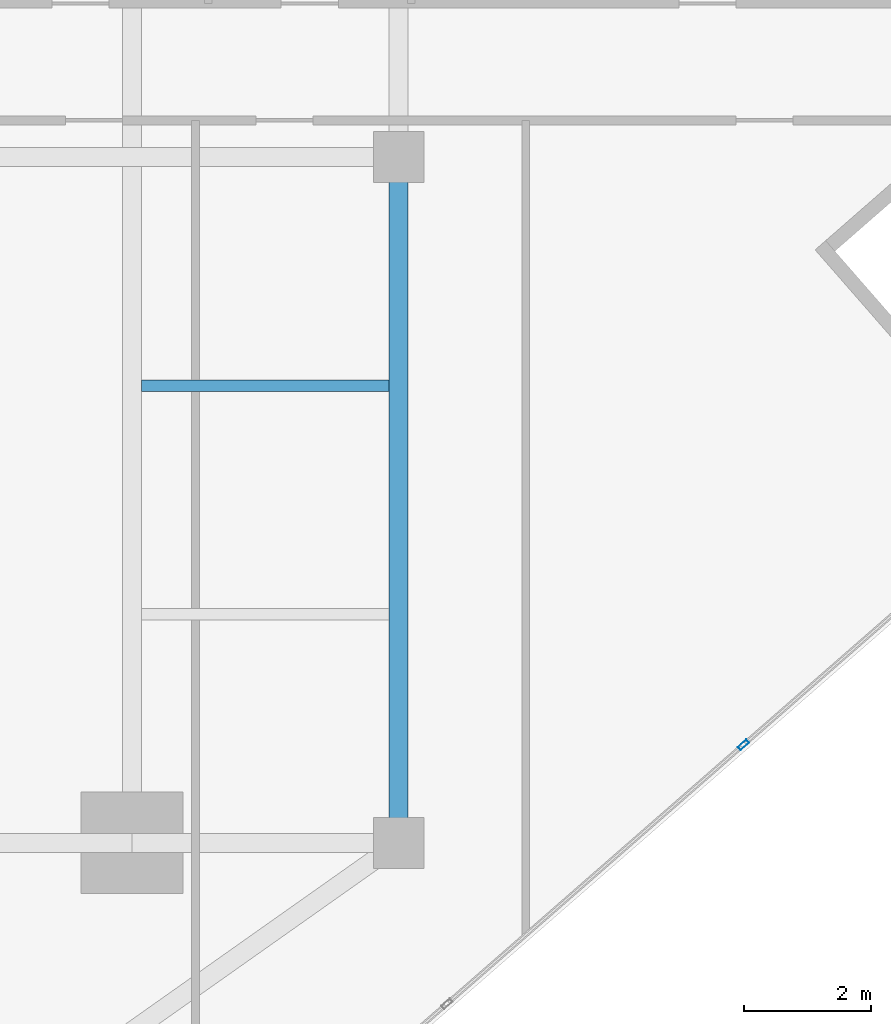
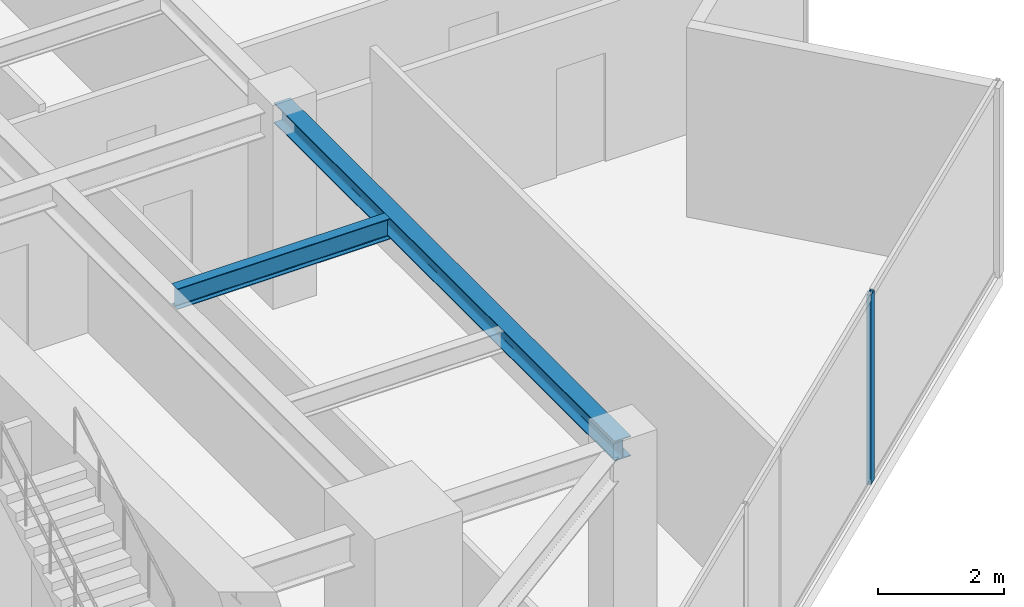
# One storey, part 10 of 24: 2 beams, 1 member, 1 element without a shape of its own.
"""IFC4 building model written with IfcOpenShell, lengths in metres."""

from ifc_helpers import new_model, si_unit, direction, frame, origin, origin_2d, place, context, subcontext, project, spatial, hollow_rectangle, i_section, extrude, source, transform, mapped, material, material_profile, profile_set, type_object, type_shapes, element, aggregate, save


model = new_model("IFC4")

# Units and contexts
model_context = context("Model", 3, precision=1e-05, world=origin(), true_north=direction((0.0, 1.0)))
body_context = subcontext(model_context, "Body", "Model", "MODEL_VIEW")
ifc_project = project(units=[si_unit("LENGTHUNIT", "METRE"), si_unit("AREAUNIT", "SQUARE_METRE"), si_unit("VOLUMEUNIT", "CUBIC_METRE"), si_unit("PLANEANGLEUNIT", "RADIAN"), si_unit("MASSUNIT", "GRAM", prefix="KILO")], contexts=[model_context])

# Site, building, storey
site_placement = place(None, origin())
site = spatial("IfcSite", under=ifc_project, at=site_placement, CompositionType="ELEMENT")
building_placement = place(site_placement, origin())
building = spatial("IfcBuilding", under=site, at=building_placement, Name="Krantzveldt Concourse Tower", CompositionType="ELEMENT")
storey_placement = place(building_placement, frame((0.0, 0.0, 254.699951171875)))
storey = spatial("IfcBuildingStorey", under=building, at=storey_placement, Name="L62", CompositionType="ELEMENT", Elevation=254.699951171875)

# Beams
ifc_material_1 = material(Name="Steel S355JR", Category="steel")
ifc_material_profile_1 = material_profile(ifc_material_1, i_section(OverallWidth=0.300048828125, OverallDepth=0.389892578125, WebThickness=0.010986328125, FlangeThickness=0.01904296875, FilletRadius=0.027099609375, at=origin_2d()), Name="Steel S355JR", Category="steel")
ifc_profile_set_1 = profile_set([ifc_material_profile_1], Name="Steel S355JR - HEA 400")
beam_type_1 = type_object("IfcBeamType", Name="BM-SP-HEA400", PredefinedType="SPANDREL", material=ifc_profile_set_1)
shared_shape_1 = source(origin(), body_context, "Body", "SweptSolid", [
    extrude(i_section(OverallWidth=0.300048828125, OverallDepth=0.389892578125, WebThickness=0.010986328125, FlangeThickness=0.01904296875, FilletRadius=0.027099609375, at=origin_2d()), origin(), (0.0, 0.0, 1.0), 10.800048828125),
])
type_shapes(beam_type_1, [shared_shape_1])
beam_1_placement = place(storey_placement, frame((51.0, 26.699951171875, 3.47509765625), z_axis=(0.0, -1.0, 0.0), x_axis=(1.0, 0.0, 0.0)))
element("IfcBeam", 1, at=beam_1_placement, inside=storey, type_object=beam_type_1, Name="L62 Tower Girder SP-R07", PredefinedType="SPANDREL", context=body_context, shape_type="MappedRepresentation", body=[
    mapped(shared_shape_1, transform((0.0, 0.0, 0.0), x_axis=(1.0, 0.0, 0.0), y_axis=(0.0, 1.0, 0.0), z_axis=(0.0, 0.0, 1.0), scale=1.0)),
])
ifc_material_profile_2 = material_profile(ifc_material_1, i_section(OverallWidth=0.179931640625, OverallDepth=0.39990234375, WebThickness=0.008544921875, FlangeThickness=0.013427734375, FilletRadius=0.02099609375, at=origin_2d()), Name="Steel S355JR", Category="steel")
ifc_profile_set_2 = profile_set([ifc_material_profile_2], Name="Steel S355JR - IPE 400")
beam_type_2 = type_object("IfcBeamType", Name="BM-J-IPE400", PredefinedType="JOIST", material=ifc_profile_set_2)
shared_shape_2 = source(origin(), body_context, "Body", "SweptSolid", [
    extrude(i_section(OverallWidth=0.179931640625, OverallDepth=0.39990234375, WebThickness=0.008544921875, FlangeThickness=0.013427734375, FilletRadius=0.02099609375, at=origin_2d()), origin(), (0.0, 0.0, 1.0), 3.900146484375),
])
type_shapes(beam_type_2, [shared_shape_2])
beam_2_placement = place(storey_placement, frame((46.949951171875, 23.10009765625, 3.469970703125), z_axis=(1.0, 0.0, 0.0), x_axis=(0.0, 1.0, 0.0)))
element("IfcBeam", 2, at=beam_2_placement, inside=storey, type_object=beam_type_2, Name="L62 Secondary Floor Joist JE-2", PredefinedType="JOIST", context=body_context, shape_type="MappedRepresentation", body=[
    mapped(shared_shape_2, transform((0.0, 0.0, 0.0), x_axis=(1.0, 0.0, 0.0), y_axis=(0.0, 1.0, 0.0), z_axis=(0.0, 0.0, 1.0), scale=1.0)),
])

# Curtain wall, member
ifc_material_2 = material(Name="Anodised aluminium 6063-T6", Category="aluminium")
curtain_wall_type = type_object("IfcCurtainWallType", Name="CW3", PredefinedType="USERDEFINED", material=ifc_material_2)
curtain_wall_placement = place(storey_placement, origin())
curtain_wall = element("IfcCurtainWall", 3, at=curtain_wall_placement, inside=storey, type_object=curtain_wall_type, Name="CW-L62-F07", ObjectType="UNITISED CURTAIN WALL", PredefinedType="USERDEFINED")
ifc_material_profile_3 = material_profile(ifc_material_2, hollow_rectangle(XDim=0.070068359375, YDim=0.179931640625, WallThickness=0.0048828125, at=origin_2d()), Name="Anodised aluminium 6063-T6", Category="aluminium")
ifc_profile_set_3 = profile_set([ifc_material_profile_3], Name="Anodised aluminium 6063-T6 - ALU-MULL 180x70x5")
member_type = type_object("IfcMemberType", Name="CW-MUL-180", PredefinedType="MULLION", material=ifc_profile_set_3)
shared_shape_3 = source(origin(), body_context, "Body", "SweptSolid", [
    extrude(hollow_rectangle(XDim=0.070068359375, YDim=0.179931640625, WallThickness=0.0048828125, at=origin_2d()), origin(), (0.0, 0.0, 1.0), 3.670166015625),
])
type_shapes(member_type, [shared_shape_3])
member_placement = place(storey_placement, frame((56.42919921875, 17.4423828125, 0.0), z_axis=(0.0, 0.0, 1.0), x_axis=(-0.657703938567, 0.753276529034, 0.0)))
member = element("IfcMember", 4, at=member_placement, type_object=member_type, Name="CW-Z34 mullion 5", PredefinedType="MULLION", context=body_context, shape_type="MappedRepresentation", body=[
    mapped(shared_shape_3, transform((0.0, 0.0, 0.0), x_axis=(1.0, 0.0, 0.0), y_axis=(0.0, 1.0, 0.0), z_axis=(0.0, 0.0, 1.0), scale=1.0)),
])
aggregate(curtain_wall, [member])

save(model, "model.ifc")
